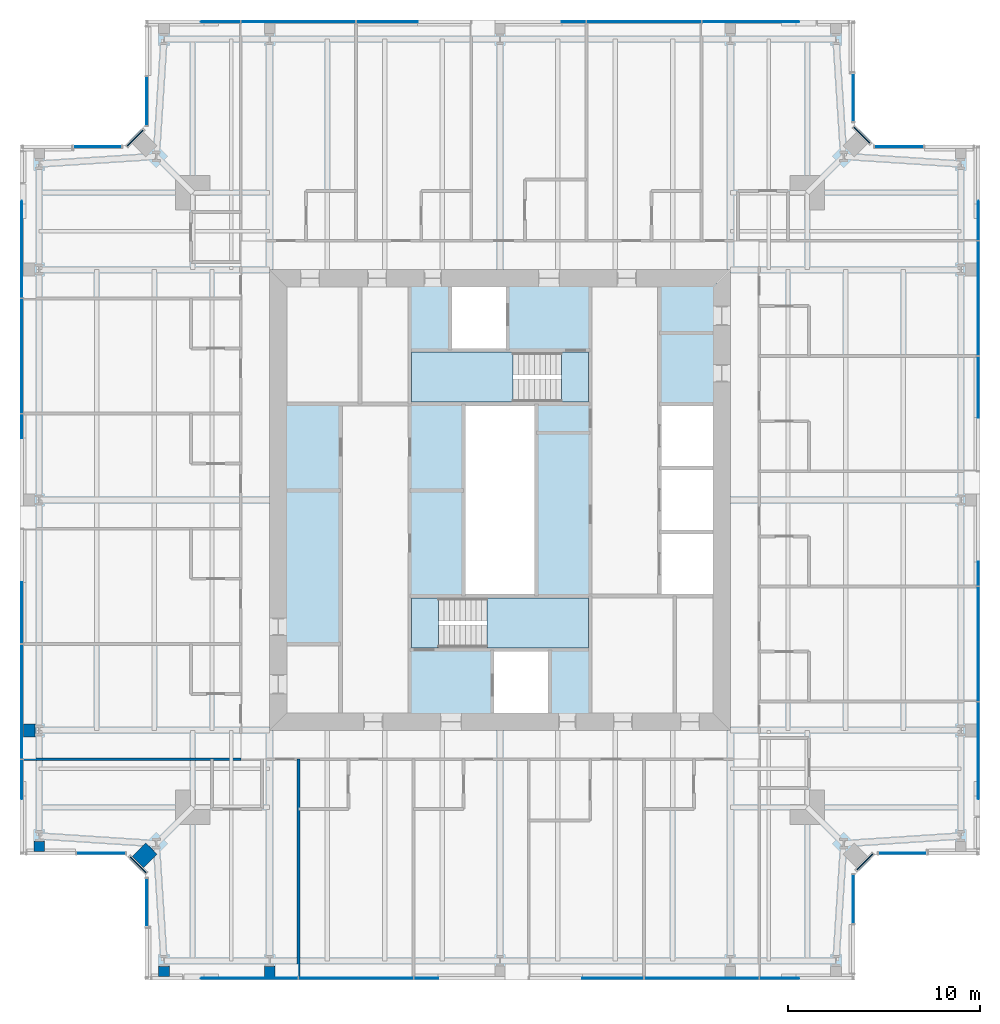
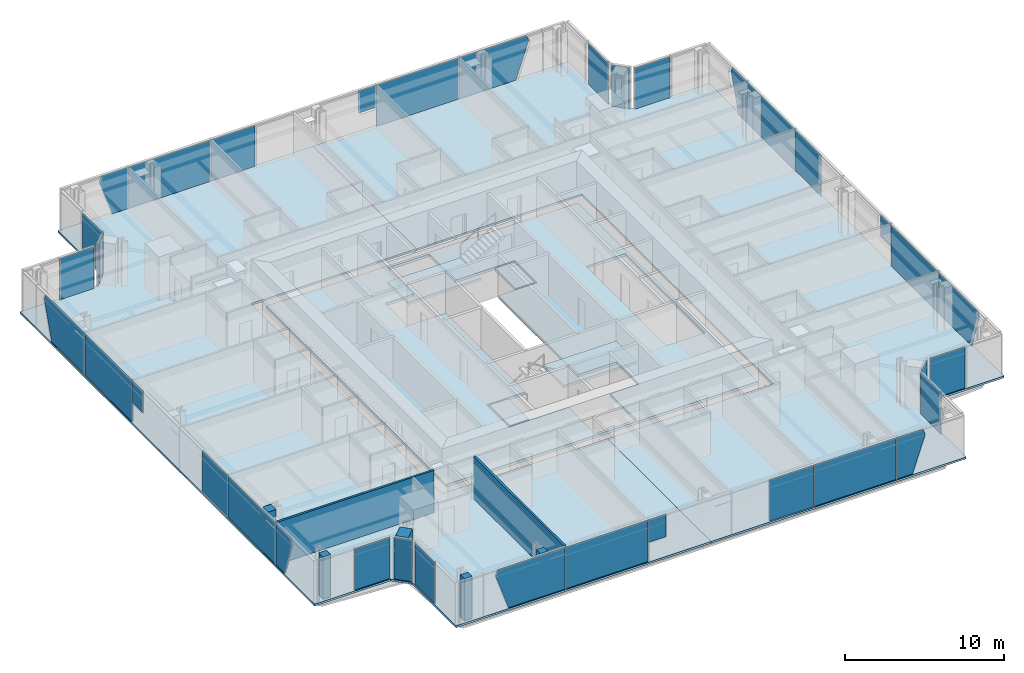
# One storey, part 10 of 20: 36 plates, 7 slabs, 7 walls, 18 elements without a shape of their own.
"""IFC4 building model written with IfcOpenShell, lengths in metres."""

from ifc_helpers import new_model, si_unit, direction, frame, frame_2d, origin, origin_2d, place, context, subcontext, project, spatial, polyline, rectangle, outline, extrude, material, layer, layer_set, type_object, element, aggregate, save


model = new_model("IFC4")

# Units and contexts
model_context = context("Model", 3, precision=1e-05, world=origin(), true_north=direction((0.0, 1.0)))
body_context = subcontext(model_context, "Body", "Model", "MODEL_VIEW")
ifc_project = project(units=[si_unit("LENGTHUNIT", "METRE"), si_unit("AREAUNIT", "SQUARE_METRE"), si_unit("VOLUMEUNIT", "CUBIC_METRE"), si_unit("PLANEANGLEUNIT", "RADIAN"), si_unit("MASSUNIT", "GRAM", prefix="KILO")], contexts=[model_context])

# Site, building, storey
site_placement = place(None, origin())
site = spatial("IfcSite", under=ifc_project, at=site_placement, CompositionType="ELEMENT")
building_placement = place(site_placement, origin())
building = spatial("IfcBuilding", under=site, at=building_placement, Name="Fenwick Lantern Interchange", CompositionType="ELEMENT")
storey_placement = place(building_placement, frame((0.0, 0.0, 252.60009765625)))
storey = spatial("IfcBuildingStorey", under=building, at=storey_placement, Name="L59", CompositionType="ELEMENT", Elevation=252.60009765625)

# Slabs
ifc_material_1 = material(Name="Concrete f'c 35 MPa", Category="concrete")
ifc_layer_1 = layer(ifc_material_1, 0.199951171875)
ifc_layer_set_1 = layer_set([ifc_layer_1], Name="CORE FLOOR SLAB 200")
slab_type_1 = type_object("IfcSlabType", Name="CORE FLOOR SLAB 200", PredefinedType="FLOOR", material=ifc_layer_set_1)
slab_1_placement = place(storey_placement, frame((0.0, 0.0, -0.2001953125)))
element("IfcSlab", 1, at=slab_1_placement, inside=storey, type_object=slab_type_1, Name="L59/SLAB/CORE", PredefinedType="FLOOR", context=body_context, shape_type="SweptSolid", body=[
    extrude(outline(polyline([(13.699951171875, 36.300048828125), (36.300048828125, 36.300048828125), (36.300048828125, 13.699951171875), (13.699951171875, 13.699951171875), (13.699951171875, 36.300048828125)]), holes=[polyline([(24.60009765625, 13.89990234375), (27.60009765625, 13.89990234375), (27.60009765625, 17.199951171875), (29.699951171875, 17.199951171875), (29.699951171875, 20.0), (26.89990234375, 20.0), (26.89990234375, 30.0), (29.699951171875, 30.0), (29.699951171875, 32.800048828125), (25.39990234375, 32.800048828125), (25.39990234375, 36.10009765625), (22.39990234375, 36.10009765625), (22.39990234375, 32.800048828125), (20.300048828125, 32.800048828125), (20.300048828125, 30.0), (23.10009765625, 30.0), (23.10009765625, 20.0), (20.300048828125, 20.0), (20.300048828125, 17.199951171875), (24.60009765625, 17.199951171875), (24.60009765625, 13.89990234375)]), polyline([(33.300048828125, 20.0), (36.10009765625, 20.0), (36.10009765625, 23.333251953125), (36.10009765625, 26.666748046875), (36.10009765625, 30.0), (33.300048828125, 30.0), (33.300048828125, 26.666748046875), (33.300048828125, 23.333251953125), (33.300048828125, 20.0)])]), origin(), (0.0, 0.0, 1.0), 0.2001953125),
])
ifc_material_2 = material(Name="Concrete f'c 35 MPa", Category="concrete")
ifc_layer_2 = layer(ifc_material_2, 0.14990234375)
ifc_layer_set_2 = layer_set([ifc_layer_2], Name="Concrete f'c 35 MPa")
slab_type_2 = type_object("IfcSlabType", Name="FLOOR SLAB 150", PredefinedType="FLOOR", material=ifc_layer_set_2)
slab_2_placement = place(storey_placement, frame((0.0, 0.0, -0.150146484375)))
element("IfcSlab", 2, at=slab_2_placement, inside=storey, type_object=slab_type_2, Name="L59/SLAB/FW", PredefinedType="FLOOR", context=body_context, shape_type="SweptSolid", body=[
    extrude(outline(polyline([(6.5, 0.0), (6.5, 5.5), (5.5, 6.5), (0.0, 6.5), (0.0, 43.5), (5.5, 43.5), (6.5, 44.5), (6.5, 50.0), (25.0, 50.0), (25.0, 37.0), (13.0, 37.0), (13.0, 13.0), (25.0, 13.0), (25.0, 0.0), (6.5, 0.0)])), origin(), (0.0, 0.0, 1.0), 0.150146484375),
])
slab_3_placement = place(storey_placement, frame((0.0, 0.0, -0.150146484375)))
element("IfcSlab", 3, at=slab_3_placement, inside=storey, type_object=slab_type_2, Name="L59/SLAB/FE", PredefinedType="FLOOR", context=body_context, shape_type="SweptSolid", body=[
    extrude(outline(polyline([(43.5, 50.0), (43.5, 44.5), (44.5, 43.5), (50.0, 43.5), (50.0, 6.5), (44.5, 6.5), (43.5, 5.5), (43.5, 0.0), (25.0, 0.0), (25.0, 13.0), (37.0, 13.0), (37.0, 37.0), (25.0, 37.0), (25.0, 50.0), (43.5, 50.0)])), origin(), (0.0, 0.0, 1.0), 0.150146484375),
])

# Curtain wall, plates
ifc_material_3 = material(Name="Aluminium curtain wall frame", Category="aluminium")
curtain_wall_type = type_object("IfcCurtainWallType", Name="HOTEL CURTAIN WALL", PredefinedType="USERDEFINED", material=ifc_material_3)
curtain_wall_1_placement = place(storey_placement, origin())
curtain_wall_1 = element("IfcCurtainWall", 4, at=curtain_wall_1_placement, inside=storey, type_object=curtain_wall_type, Name="Hotel curtain wall 01", ObjectType="HOTEL CURTAIN WALL", PredefinedType="USERDEFINED")
ifc_material_4 = material(Name="Vision glass, acoustic laminated double glazed unit", Category="glass")
ifc_layer_3 = layer(ifc_material_4, 0.052001953125)
ifc_layer_set_3 = layer_set([ifc_layer_3], Name="HOTEL CURTAIN WALL PANEL 52")
plate_type = type_object("IfcPlateType", Name="HOTEL CURTAIN WALL PANEL 52", PredefinedType="CURTAIN_PANEL", material=ifc_layer_set_3)
plate_1_placement = place(storey_placement, frame((6.60009765625, 0.10009765625, 0.0), z_axis=(0.0, 0.0, 1.0), x_axis=(1.0, 0.0, 0.0)))
plate_1 = element("IfcPlate", 5, at=plate_1_placement, type_object=plate_type, Name="L59/CW/01/P01a", PredefinedType="CURTAIN_PANEL", context=body_context, shape_type="SweptSolid", body=[
    extrude(outline(polyline([(3.7431640625, 0.0), (7.8701171875, 0.0), (7.8701171875, 3.14990234375), (2.985595703125, 3.14990234375), (2.81884765625, 2.737548828125), (3.7431640625, 0.0)])), frame((0.0, 0.02587890625, 0.0), z_axis=(0.0, -1.0, 0.0), x_axis=(1.0, 0.0, 0.0)), (0.0, 0.0, 1.0), 0.052001953125),
])
plate_2_placement = place(storey_placement, frame((17.5, 0.10009765625, 0.0), z_axis=(0.0, 0.0, 1.0), x_axis=(1.0, 0.0, 0.0)))
plate_2 = element("IfcPlate", 6, at=plate_2_placement, type_object=plate_type, Name="L59/CW/01/P02", PredefinedType="CURTAIN_PANEL", context=body_context, shape_type="SweptSolid", body=[
    extrude(rectangle(XDim=5.93994140625, YDim=0.052001953125, at=origin_2d()), origin(), (0.0, 0.0, 1.0), 3.14990234375),
])
plate_3_placement = place(storey_placement, frame((6.60009765625, 0.10009765625, 1.45751953125), z_axis=(0.0, 0.0, 1.0), x_axis=(1.0, 0.0, 0.0)))
plate_3 = element("IfcPlate", 7, at=plate_3_placement, type_object=plate_type, Name="L59/CW/01/P03a", PredefinedType="CURTAIN_PANEL", context=body_context, shape_type="SweptSolid", body=[
    extrude(outline(polyline([(13.929931640625, 0.0), (15.179931640625, 0.0), (15.179931640625, 1.6923828125), (13.929931640625, 1.6923828125), (13.929931640625, 0.0)])), frame((0.0, 0.02587890625, 0.0), z_axis=(0.0, -1.0, 0.0), x_axis=(1.0, 0.0, 0.0)), (0.0, 0.0, 1.0), 0.052001953125),
])
plate_4_placement = place(storey_placement, frame((6.60009765625, 0.10009765625, 0.004150390625), z_axis=(0.0, 0.0, 1.0), x_axis=(1.0, 0.0, 0.0)))
plate_4 = element("IfcPlate", 8, at=plate_4_placement, type_object=plate_type, Name="L59/CW/01/P04a", PredefinedType="CURTAIN_PANEL", context=body_context, shape_type="SweptSolid", body=[
    extrude(outline(polyline([(22.690673828125, 0.0), (25.8701171875, 0.0), (25.8701171875, 3.145751953125), (22.690673828125, 3.145751953125), (22.690673828125, 0.0)])), frame((0.0, 0.02587890625, 0.0), z_axis=(0.0, -1.0, 0.0), x_axis=(1.0, 0.0, 0.0)), (0.0, 0.0, 1.0), 0.052001953125),
])
plate_5_placement = place(storey_placement, frame((35.5, 0.10009765625, 0.0), z_axis=(0.0, 0.0, 1.0), x_axis=(1.0, 0.0, 0.0)))
plate_5 = element("IfcPlate", 9, at=plate_5_placement, type_object=plate_type, Name="L59/CW/01/P05", PredefinedType="CURTAIN_PANEL", context=body_context, shape_type="SweptSolid", body=[
    extrude(rectangle(XDim=5.93994140625, YDim=0.052001953125, at=origin_2d()), origin(), (0.0, 0.0, 1.0), 3.14990234375),
])
plate_6_placement = place(storey_placement, frame((6.60009765625, 0.10009765625, 0.0), z_axis=(0.0, 0.0, 1.0), x_axis=(1.0, 0.0, 0.0)))
plate_6 = element("IfcPlate", 10, at=plate_6_placement, type_object=plate_type, Name="L59/CW/01/P06a", PredefinedType="CURTAIN_PANEL", context=body_context, shape_type="SweptSolid", body=[
    extrude(outline(polyline([(31.929931640625, 0.0), (33.056884765625, 0.0), (33.981201171875, 2.737548828125), (33.814453125, 3.14990234375), (31.929931640625, 3.14990234375), (31.929931640625, 0.0)])), frame((0.0, 0.02587890625, 0.0), z_axis=(0.0, -1.0, 0.0), x_axis=(1.0, 0.0, 0.0)), (0.0, 0.0, 1.0), 0.052001953125),
])
aggregate(curtain_wall_1, [plate_1, plate_2, plate_3, plate_4, plate_5, plate_6])

# Curtain wall, plate
curtain_wall_2_placement = place(storey_placement, origin())
curtain_wall_2 = element("IfcCurtainWall", 11, at=curtain_wall_2_placement, inside=storey, type_object=curtain_wall_type, Name="Hotel curtain wall 02", ObjectType="HOTEL CURTAIN WALL", PredefinedType="USERDEFINED")
plate_7_placement = place(storey_placement, frame((43.39990234375, 4.216064453125, 0.0), z_axis=(0.0, 0.0, 1.0), x_axis=(0.0, 1.0, 0.0)))
plate_7 = element("IfcPlate", 12, at=plate_7_placement, type_object=plate_type, Name="L59/CW/02/P01", PredefinedType="CURTAIN_PANEL", context=body_context, shape_type="SweptSolid", body=[
    extrude(rectangle(XDim=2.53076171875, YDim=0.052001953125, at=origin_2d()), origin(), (0.0, 0.0, 1.0), 3.14990234375),
])
aggregate(curtain_wall_2, [plate_7])

curtain_wall_3_placement = place(storey_placement, origin())
curtain_wall_3 = element("IfcCurtainWall", 13, at=curtain_wall_3_placement, inside=storey, type_object=curtain_wall_type, Name="Hotel curtain wall 03", ObjectType="HOTEL CURTAIN WALL", PredefinedType="USERDEFINED")
plate_8_placement = place(storey_placement, frame((44.0, 6.141357421875, 0.0), z_axis=(0.0, 0.0, 1.0), x_axis=(0.707106781187, 0.707106781187, 0.0)))
plate_8 = element("IfcPlate", 14, at=plate_8_placement, type_object=plate_type, Name="L59/CW/03/P00", PredefinedType="CURTAIN_PANEL", context=body_context, shape_type="SweptSolid", body=[
    extrude(rectangle(XDim=1.177001953125, YDim=0.052001953125, at=origin_2d()), origin(), (0.0, 0.0, 1.0), 3.14990234375),
])
aggregate(curtain_wall_3, [plate_8])

curtain_wall_4_placement = place(storey_placement, origin())
curtain_wall_4 = element("IfcCurtainWall", 15, at=curtain_wall_4_placement, inside=storey, type_object=curtain_wall_type, Name="Hotel curtain wall 04", ObjectType="HOTEL CURTAIN WALL", PredefinedType="USERDEFINED")
plate_9_placement = place(storey_placement, frame((44.45849609375, 6.60009765625, 0.0), z_axis=(0.0, 0.0, 1.0), x_axis=(1.0, 0.0, 0.0)))
plate_9 = element("IfcPlate", 16, at=plate_9_placement, type_object=plate_type, Name="L59/CW/04/P00a", PredefinedType="CURTAIN_PANEL", context=body_context, shape_type="SweptSolid", body=[
    extrude(outline(polyline([(0.260009765625, 0.0), (2.741455078125, 0.0), (2.741455078125, 3.14990234375), (0.260009765625, 3.14990234375), (0.260009765625, 0.0)])), frame((0.0, 0.02587890625, 0.0), z_axis=(0.0, -1.0, 0.0), x_axis=(1.0, 0.0, 0.0)), (0.0, 0.0, 1.0), 0.052001953125),
])
aggregate(curtain_wall_4, [plate_9])

# Curtain wall, plates
curtain_wall_5_placement = place(storey_placement, origin())
curtain_wall_5 = element("IfcCurtainWall", 17, at=curtain_wall_5_placement, inside=storey, type_object=curtain_wall_type, Name="Hotel curtain wall 05", ObjectType="HOTEL CURTAIN WALL", PredefinedType="USERDEFINED")
plate_10_placement = place(storey_placement, frame((49.89990234375, 6.60009765625, 0.0), z_axis=(0.0, 0.0, 1.0), x_axis=(0.0, 1.0, 0.0)))
plate_10 = element("IfcPlate", 18, at=plate_10_placement, type_object=plate_type, Name="L59/CW/05/P01a", PredefinedType="CURTAIN_PANEL", context=body_context, shape_type="SweptSolid", body=[
    extrude(outline(polyline([(3.7431640625, 0.0), (7.8701171875, 0.0), (7.8701171875, 3.14990234375), (2.985595703125, 3.14990234375), (2.81884765625, 2.737548828125), (3.7431640625, 0.0)])), frame((0.0, 0.02587890625, 0.0), z_axis=(0.0, -1.0, 0.0), x_axis=(1.0, 0.0, 0.0)), (0.0, 0.0, 1.0), 0.052001953125),
])
plate_11_placement = place(storey_placement, frame((49.89990234375, 17.5, 0.0), z_axis=(0.0, 0.0, 1.0), x_axis=(0.0, 1.0, 0.0)))
plate_11 = element("IfcPlate", 19, at=plate_11_placement, type_object=plate_type, Name="L59/CW/05/P02", PredefinedType="CURTAIN_PANEL", context=body_context, shape_type="SweptSolid", body=[
    extrude(rectangle(XDim=5.93994140625, YDim=0.052001953125, at=origin_2d()), origin(), (0.0, 0.0, 1.0), 3.14990234375),
])
plate_12_placement = place(storey_placement, frame((49.89990234375, 6.60009765625, 1.45751953125), z_axis=(0.0, 0.0, 1.0), x_axis=(0.0, 1.0, 0.0)))
plate_12 = element("IfcPlate", 20, at=plate_12_placement, type_object=plate_type, Name="L59/CW/05/P03a", PredefinedType="CURTAIN_PANEL", context=body_context, shape_type="SweptSolid", body=[
    extrude(outline(polyline([(13.929931640625, 0.0), (15.179931640625, 0.0), (15.179931640625, 1.6923828125), (13.929931640625, 1.6923828125), (13.929931640625, 0.0)])), frame((0.0, 0.02587890625, 0.0), z_axis=(0.0, -1.0, 0.0), x_axis=(1.0, 0.0, 0.0)), (0.0, 0.0, 1.0), 0.052001953125),
])
plate_13_placement = place(storey_placement, frame((49.89990234375, 6.60009765625, 0.004150390625), z_axis=(0.0, 0.0, 1.0), x_axis=(0.0, 1.0, 0.0)))
plate_13 = element("IfcPlate", 21, at=plate_13_placement, type_object=plate_type, Name="L59/CW/05/P04a", PredefinedType="CURTAIN_PANEL", context=body_context, shape_type="SweptSolid", body=[
    extrude(outline(polyline([(22.690673828125, 0.0), (25.8701171875, 0.0), (25.8701171875, 3.145751953125), (22.690673828125, 3.145751953125), (22.690673828125, 0.0)])), frame((0.0, 0.02587890625, 0.0), z_axis=(0.0, -1.0, 0.0), x_axis=(1.0, 0.0, 0.0)), (0.0, 0.0, 1.0), 0.052001953125),
])
plate_14_placement = place(storey_placement, frame((49.89990234375, 35.5, 0.0), z_axis=(0.0, 0.0, 1.0), x_axis=(0.0, 1.0, 0.0)))
plate_14 = element("IfcPlate", 22, at=plate_14_placement, type_object=plate_type, Name="L59/CW/05/P05", PredefinedType="CURTAIN_PANEL", context=body_context, shape_type="SweptSolid", body=[
    extrude(rectangle(XDim=5.93994140625, YDim=0.052001953125, at=origin_2d()), origin(), (0.0, 0.0, 1.0), 3.14990234375),
])
plate_15_placement = place(storey_placement, frame((49.89990234375, 6.60009765625, 0.0), z_axis=(0.0, 0.0, 1.0), x_axis=(0.0, 1.0, 0.0)))
plate_15 = element("IfcPlate", 23, at=plate_15_placement, type_object=plate_type, Name="L59/CW/05/P06a", PredefinedType="CURTAIN_PANEL", context=body_context, shape_type="SweptSolid", body=[
    extrude(outline(polyline([(31.929931640625, 0.0), (33.056884765625, 0.0), (33.981201171875, 2.737548828125), (33.814453125, 3.14990234375), (31.929931640625, 3.14990234375), (31.929931640625, 0.0)])), frame((0.0, 0.02587890625, 0.0), z_axis=(0.0, -1.0, 0.0), x_axis=(1.0, 0.0, 0.0)), (0.0, 0.0, 1.0), 0.052001953125),
])
aggregate(curtain_wall_5, [plate_10, plate_11, plate_12, plate_13, plate_14, plate_15])

# Curtain wall, plate
curtain_wall_6_placement = place(storey_placement, origin())
curtain_wall_6 = element("IfcCurtainWall", 24, at=curtain_wall_6_placement, inside=storey, type_object=curtain_wall_type, Name="Hotel curtain wall 06", ObjectType="HOTEL CURTAIN WALL", PredefinedType="USERDEFINED")
plate_16_placement = place(storey_placement, frame((45.783935546875, 43.39990234375, 0.0), z_axis=(0.0, 0.0, 1.0), x_axis=(-1.0, 0.0, 0.0)))
plate_16 = element("IfcPlate", 25, at=plate_16_placement, type_object=plate_type, Name="L59/CW/06/P01", PredefinedType="CURTAIN_PANEL", context=body_context, shape_type="SweptSolid", body=[
    extrude(rectangle(XDim=2.53076171875, YDim=0.052001953125, at=origin_2d()), origin(), (0.0, 0.0, 1.0), 3.14990234375),
])
aggregate(curtain_wall_6, [plate_16])

curtain_wall_7_placement = place(storey_placement, origin())
curtain_wall_7 = element("IfcCurtainWall", 26, at=curtain_wall_7_placement, inside=storey, type_object=curtain_wall_type, Name="Hotel curtain wall 07", ObjectType="HOTEL CURTAIN WALL", PredefinedType="USERDEFINED")
plate_17_placement = place(storey_placement, frame((43.858642578125, 44.0, 0.0), z_axis=(0.0, 0.0, 1.0), x_axis=(-0.707106781187, 0.707106781187, 0.0)))
plate_17 = element("IfcPlate", 27, at=plate_17_placement, type_object=plate_type, Name="L59/CW/07/P00", PredefinedType="CURTAIN_PANEL", context=body_context, shape_type="SweptSolid", body=[
    extrude(rectangle(XDim=1.177001953125, YDim=0.052001953125, at=origin_2d()), origin(), (0.0, 0.0, 1.0), 3.14990234375),
])
aggregate(curtain_wall_7, [plate_17])

curtain_wall_8_placement = place(storey_placement, origin())
curtain_wall_8 = element("IfcCurtainWall", 28, at=curtain_wall_8_placement, inside=storey, type_object=curtain_wall_type, Name="Hotel curtain wall 08", ObjectType="HOTEL CURTAIN WALL", PredefinedType="USERDEFINED")
plate_18_placement = place(storey_placement, frame((43.39990234375, 44.45849609375, 0.0), z_axis=(0.0, 0.0, 1.0), x_axis=(0.0, 1.0, 0.0)))
plate_18 = element("IfcPlate", 29, at=plate_18_placement, type_object=plate_type, Name="L59/CW/08/P00a", PredefinedType="CURTAIN_PANEL", context=body_context, shape_type="SweptSolid", body=[
    extrude(outline(polyline([(0.260009765625, 0.0), (2.741455078125, 0.0), (2.741455078125, 3.14990234375), (0.260009765625, 3.14990234375), (0.260009765625, 0.0)])), frame((0.0, 0.02587890625, 0.0), z_axis=(0.0, -1.0, 0.0), x_axis=(1.0, 0.0, 0.0)), (0.0, 0.0, 1.0), 0.052001953125),
])
aggregate(curtain_wall_8, [plate_18])

# Curtain wall, plates
curtain_wall_9_placement = place(storey_placement, origin())
curtain_wall_9 = element("IfcCurtainWall", 30, at=curtain_wall_9_placement, inside=storey, type_object=curtain_wall_type, Name="Hotel curtain wall 09", ObjectType="HOTEL CURTAIN WALL", PredefinedType="USERDEFINED")
plate_19_placement = place(storey_placement, frame((43.39990234375, 49.89990234375, 0.0), z_axis=(0.0, 0.0, 1.0), x_axis=(-1.0, 0.0, 0.0)))
plate_19 = element("IfcPlate", 31, at=plate_19_placement, type_object=plate_type, Name="L59/CW/09/P01a", PredefinedType="CURTAIN_PANEL", context=body_context, shape_type="SweptSolid", body=[
    extrude(outline(polyline([(3.7431640625, 0.0), (7.8701171875, 0.0), (7.8701171875, 3.14990234375), (2.985595703125, 3.14990234375), (2.81884765625, 2.737548828125), (3.7431640625, 0.0)])), frame((0.0, 0.02587890625, 0.0), z_axis=(0.0, -1.0, 0.0), x_axis=(1.0, 0.0, 0.0)), (0.0, 0.0, 1.0), 0.052001953125),
])
plate_20_placement = place(storey_placement, frame((32.5, 49.89990234375, 0.0), z_axis=(0.0, 0.0, 1.0), x_axis=(-1.0, 0.0, 0.0)))
plate_20 = element("IfcPlate", 32, at=plate_20_placement, type_object=plate_type, Name="L59/CW/09/P02", PredefinedType="CURTAIN_PANEL", context=body_context, shape_type="SweptSolid", body=[
    extrude(rectangle(XDim=5.93994140625, YDim=0.052001953125, at=origin_2d()), origin(), (0.0, 0.0, 1.0), 3.14990234375),
])
plate_21_placement = place(storey_placement, frame((43.39990234375, 49.89990234375, 1.45751953125), z_axis=(0.0, 0.0, 1.0), x_axis=(-1.0, 0.0, 0.0)))
plate_21 = element("IfcPlate", 33, at=plate_21_placement, type_object=plate_type, Name="L59/CW/09/P03a", PredefinedType="CURTAIN_PANEL", context=body_context, shape_type="SweptSolid", body=[
    extrude(outline(polyline([(13.929931640625, 0.0), (15.179931640625, 0.0), (15.179931640625, 1.6923828125), (13.929931640625, 1.6923828125), (13.929931640625, 0.0)])), frame((0.0, 0.02587890625, 0.0), z_axis=(0.0, -1.0, 0.0), x_axis=(1.0, 0.0, 0.0)), (0.0, 0.0, 1.0), 0.052001953125),
])
plate_22_placement = place(storey_placement, frame((43.39990234375, 49.89990234375, 0.004150390625), z_axis=(0.0, 0.0, 1.0), x_axis=(-1.0, 0.0, 0.0)))
plate_22 = element("IfcPlate", 34, at=plate_22_placement, type_object=plate_type, Name="L59/CW/09/P04a", PredefinedType="CURTAIN_PANEL", context=body_context, shape_type="SweptSolid", body=[
    extrude(outline(polyline([(22.690673828125, 0.0), (25.8701171875, 0.0), (25.8701171875, 3.145751953125), (22.690673828125, 3.145751953125), (22.690673828125, 0.0)])), frame((0.0, 0.02587890625, 0.0), z_axis=(0.0, -1.0, 0.0), x_axis=(1.0, 0.0, 0.0)), (0.0, 0.0, 1.0), 0.052001953125),
])
plate_23_placement = place(storey_placement, frame((14.5, 49.89990234375, 0.0), z_axis=(0.0, 0.0, 1.0), x_axis=(-1.0, 0.0, 0.0)))
plate_23 = element("IfcPlate", 35, at=plate_23_placement, type_object=plate_type, Name="L59/CW/09/P05", PredefinedType="CURTAIN_PANEL", context=body_context, shape_type="SweptSolid", body=[
    extrude(rectangle(XDim=5.93994140625, YDim=0.052001953125, at=origin_2d()), origin(), (0.0, 0.0, 1.0), 3.14990234375),
])
plate_24_placement = place(storey_placement, frame((43.39990234375, 49.89990234375, 0.0), z_axis=(0.0, 0.0, 1.0), x_axis=(-1.0, 0.0, 0.0)))
plate_24 = element("IfcPlate", 36, at=plate_24_placement, type_object=plate_type, Name="L59/CW/09/P06a", PredefinedType="CURTAIN_PANEL", context=body_context, shape_type="SweptSolid", body=[
    extrude(outline(polyline([(31.929931640625, 0.0), (33.056884765625, 0.0), (33.981201171875, 2.737548828125), (33.814453125, 3.14990234375), (31.929931640625, 3.14990234375), (31.929931640625, 0.0)])), frame((0.0, 0.02587890625, 0.0), z_axis=(0.0, -1.0, 0.0), x_axis=(1.0, 0.0, 0.0)), (0.0, 0.0, 1.0), 0.052001953125),
])
aggregate(curtain_wall_9, [plate_19, plate_20, plate_21, plate_22, plate_23, plate_24])

# Curtain wall, plate
curtain_wall_10_placement = place(storey_placement, origin())
curtain_wall_10 = element("IfcCurtainWall", 37, at=curtain_wall_10_placement, inside=storey, type_object=curtain_wall_type, Name="Hotel curtain wall 10", ObjectType="HOTEL CURTAIN WALL", PredefinedType="USERDEFINED")
plate_25_placement = place(storey_placement, frame((6.60009765625, 45.783935546875, 0.0), z_axis=(0.0, 0.0, 1.0), x_axis=(0.0, -1.0, 0.0)))
plate_25 = element("IfcPlate", 38, at=plate_25_placement, type_object=plate_type, Name="L59/CW/10/P01", PredefinedType="CURTAIN_PANEL", context=body_context, shape_type="SweptSolid", body=[
    extrude(rectangle(XDim=2.53076171875, YDim=0.052001953125, at=origin_2d()), origin(), (0.0, 0.0, 1.0), 3.14990234375),
])
aggregate(curtain_wall_10, [plate_25])

curtain_wall_11_placement = place(storey_placement, origin())
curtain_wall_11 = element("IfcCurtainWall", 39, at=curtain_wall_11_placement, inside=storey, type_object=curtain_wall_type, Name="Hotel curtain wall 11", ObjectType="HOTEL CURTAIN WALL", PredefinedType="USERDEFINED")
plate_26_placement = place(storey_placement, frame((6.0, 43.858642578125, 0.0), z_axis=(0.0, 0.0, 1.0), x_axis=(-0.707106781187, -0.707106781187, 0.0)))
plate_26 = element("IfcPlate", 40, at=plate_26_placement, type_object=plate_type, Name="L59/CW/11/P00", PredefinedType="CURTAIN_PANEL", context=body_context, shape_type="SweptSolid", body=[
    extrude(rectangle(XDim=1.177001953125, YDim=0.052001953125, at=origin_2d()), origin(), (0.0, 0.0, 1.0), 3.14990234375),
])
aggregate(curtain_wall_11, [plate_26])

curtain_wall_12_placement = place(storey_placement, origin())
curtain_wall_12 = element("IfcCurtainWall", 41, at=curtain_wall_12_placement, inside=storey, type_object=curtain_wall_type, Name="Hotel curtain wall 12", ObjectType="HOTEL CURTAIN WALL", PredefinedType="USERDEFINED")
plate_27_placement = place(storey_placement, frame((5.54150390625, 43.39990234375, 0.0), z_axis=(0.0, 0.0, 1.0), x_axis=(-1.0, 0.0, 0.0)))
plate_27 = element("IfcPlate", 42, at=plate_27_placement, type_object=plate_type, Name="L59/CW/12/P00a", PredefinedType="CURTAIN_PANEL", context=body_context, shape_type="SweptSolid", body=[
    extrude(outline(polyline([(0.260009765625, 0.0), (2.741455078125, 0.0), (2.741455078125, 3.14990234375), (0.260009765625, 3.14990234375), (0.260009765625, 0.0)])), frame((0.0, 0.02587890625, 0.0), z_axis=(0.0, -1.0, 0.0), x_axis=(1.0, 0.0, 0.0)), (0.0, 0.0, 1.0), 0.052001953125),
])
aggregate(curtain_wall_12, [plate_27])

# Curtain wall, plates
curtain_wall_13_placement = place(storey_placement, origin())
curtain_wall_13 = element("IfcCurtainWall", 43, at=curtain_wall_13_placement, inside=storey, type_object=curtain_wall_type, Name="Hotel curtain wall 13", ObjectType="HOTEL CURTAIN WALL", PredefinedType="USERDEFINED")
plate_28_placement = place(storey_placement, frame((0.10009765625, 43.39990234375, 0.0), z_axis=(0.0, 0.0, 1.0), x_axis=(0.0, -1.0, 0.0)))
plate_28 = element("IfcPlate", 44, at=plate_28_placement, type_object=plate_type, Name="L59/CW/13/P01a", PredefinedType="CURTAIN_PANEL", context=body_context, shape_type="SweptSolid", body=[
    extrude(outline(polyline([(3.7431640625, 0.0), (7.8701171875, 0.0), (7.8701171875, 3.14990234375), (2.985595703125, 3.14990234375), (2.81884765625, 2.737548828125), (3.7431640625, 0.0)])), frame((0.0, 0.02587890625, 0.0), z_axis=(0.0, -1.0, 0.0), x_axis=(1.0, 0.0, 0.0)), (0.0, 0.0, 1.0), 0.052001953125),
])
plate_29_placement = place(storey_placement, frame((0.10009765625, 32.5, 0.0), z_axis=(0.0, 0.0, 1.0), x_axis=(0.0, -1.0, 0.0)))
plate_29 = element("IfcPlate", 45, at=plate_29_placement, type_object=plate_type, Name="L59/CW/13/P02", PredefinedType="CURTAIN_PANEL", context=body_context, shape_type="SweptSolid", body=[
    extrude(rectangle(XDim=5.93994140625, YDim=0.052001953125, at=origin_2d()), origin(), (0.0, 0.0, 1.0), 3.14990234375),
])
plate_30_placement = place(storey_placement, frame((0.10009765625, 43.39990234375, 1.45751953125), z_axis=(0.0, 0.0, 1.0), x_axis=(0.0, -1.0, 0.0)))
plate_30 = element("IfcPlate", 46, at=plate_30_placement, type_object=plate_type, Name="L59/CW/13/P03a", PredefinedType="CURTAIN_PANEL", context=body_context, shape_type="SweptSolid", body=[
    extrude(outline(polyline([(13.929931640625, 0.0), (15.179931640625, 0.0), (15.179931640625, 1.6923828125), (13.929931640625, 1.6923828125), (13.929931640625, 0.0)])), frame((0.0, 0.02587890625, 0.0), z_axis=(0.0, -1.0, 0.0), x_axis=(1.0, 0.0, 0.0)), (0.0, 0.0, 1.0), 0.052001953125),
])
plate_31_placement = place(storey_placement, frame((0.10009765625, 43.39990234375, 0.004150390625), z_axis=(0.0, 0.0, 1.0), x_axis=(0.0, -1.0, 0.0)))
plate_31 = element("IfcPlate", 47, at=plate_31_placement, type_object=plate_type, Name="L59/CW/13/P04a", PredefinedType="CURTAIN_PANEL", context=body_context, shape_type="SweptSolid", body=[
    extrude(outline(polyline([(22.690673828125, 0.0), (25.8701171875, 0.0), (25.8701171875, 3.145751953125), (22.690673828125, 3.145751953125), (22.690673828125, 0.0)])), frame((0.0, 0.02587890625, 0.0), z_axis=(0.0, -1.0, 0.0), x_axis=(1.0, 0.0, 0.0)), (0.0, 0.0, 1.0), 0.052001953125),
])
plate_32_placement = place(storey_placement, frame((0.10009765625, 14.5, 0.0), z_axis=(0.0, 0.0, 1.0), x_axis=(0.0, -1.0, 0.0)))
plate_32 = element("IfcPlate", 48, at=plate_32_placement, type_object=plate_type, Name="L59/CW/13/P05", PredefinedType="CURTAIN_PANEL", context=body_context, shape_type="SweptSolid", body=[
    extrude(rectangle(XDim=5.93994140625, YDim=0.052001953125, at=origin_2d()), origin(), (0.0, 0.0, 1.0), 3.14990234375),
])
plate_33_placement = place(storey_placement, frame((0.10009765625, 43.39990234375, 0.0), z_axis=(0.0, 0.0, 1.0), x_axis=(0.0, -1.0, 0.0)))
plate_33 = element("IfcPlate", 49, at=plate_33_placement, type_object=plate_type, Name="L59/CW/13/P06a", PredefinedType="CURTAIN_PANEL", context=body_context, shape_type="SweptSolid", body=[
    extrude(outline(polyline([(31.929931640625, 0.0), (33.056884765625, 0.0), (33.981201171875, 2.737548828125), (33.814453125, 3.14990234375), (31.929931640625, 3.14990234375), (31.929931640625, 0.0)])), frame((0.0, 0.02587890625, 0.0), z_axis=(0.0, -1.0, 0.0), x_axis=(1.0, 0.0, 0.0)), (0.0, 0.0, 1.0), 0.052001953125),
])
aggregate(curtain_wall_13, [plate_28, plate_29, plate_30, plate_31, plate_32, plate_33])

# Curtain wall, plate
curtain_wall_14_placement = place(storey_placement, origin())
curtain_wall_14 = element("IfcCurtainWall", 50, at=curtain_wall_14_placement, inside=storey, type_object=curtain_wall_type, Name="Hotel curtain wall 14", ObjectType="HOTEL CURTAIN WALL", PredefinedType="USERDEFINED")
plate_34_placement = place(storey_placement, frame((4.216064453125, 6.60009765625, 0.0), z_axis=(0.0, 0.0, 1.0), x_axis=(1.0, 0.0, 0.0)))
plate_34 = element("IfcPlate", 51, at=plate_34_placement, type_object=plate_type, Name="L59/CW/14/P01", PredefinedType="CURTAIN_PANEL", context=body_context, shape_type="SweptSolid", body=[
    extrude(rectangle(XDim=2.53076171875, YDim=0.052001953125, at=origin_2d()), origin(), (0.0, 0.0, 1.0), 3.14990234375),
])
aggregate(curtain_wall_14, [plate_34])

curtain_wall_15_placement = place(storey_placement, origin())
curtain_wall_15 = element("IfcCurtainWall", 52, at=curtain_wall_15_placement, inside=storey, type_object=curtain_wall_type, Name="Hotel curtain wall 15", ObjectType="HOTEL CURTAIN WALL", PredefinedType="USERDEFINED")
plate_35_placement = place(storey_placement, frame((6.141357421875, 6.0, 0.0), z_axis=(0.0, 0.0, 1.0), x_axis=(0.707106781187, -0.707106781187, 0.0)))
plate_35 = element("IfcPlate", 53, at=plate_35_placement, type_object=plate_type, Name="L59/CW/15/P00", PredefinedType="CURTAIN_PANEL", context=body_context, shape_type="SweptSolid", body=[
    extrude(rectangle(XDim=1.177001953125, YDim=0.052001953125, at=origin_2d()), origin(), (0.0, 0.0, 1.0), 3.14990234375),
])
aggregate(curtain_wall_15, [plate_35])

curtain_wall_16_placement = place(storey_placement, origin())
curtain_wall_16 = element("IfcCurtainWall", 54, at=curtain_wall_16_placement, inside=storey, type_object=curtain_wall_type, Name="Hotel curtain wall 16", ObjectType="HOTEL CURTAIN WALL", PredefinedType="USERDEFINED")
plate_36_placement = place(storey_placement, frame((6.60009765625, 5.54150390625, 0.0), z_axis=(0.0, 0.0, 1.0), x_axis=(0.0, -1.0, 0.0)))
plate_36 = element("IfcPlate", 55, at=plate_36_placement, type_object=plate_type, Name="L59/CW/16/P00a", PredefinedType="CURTAIN_PANEL", context=body_context, shape_type="SweptSolid", body=[
    extrude(outline(polyline([(0.260009765625, 0.0), (2.741455078125, 0.0), (2.741455078125, 3.14990234375), (0.260009765625, 3.14990234375), (0.260009765625, 0.0)])), frame((0.0, 0.02587890625, 0.0), z_axis=(0.0, -1.0, 0.0), x_axis=(1.0, 0.0, 0.0)), (0.0, 0.0, 1.0), 0.052001953125),
])
aggregate(curtain_wall_16, [plate_36])

# Stair, slabs
ifc_material_5 = material(Name="Precast concrete f'c 35 MPa", Category="concrete")
stair_type = type_object("IfcStairType", Name="EXIT STAIR 1200", PredefinedType="HALF_TURN_STAIR", material=ifc_material_5)
stair_1_placement = place(storey_placement, origin())
stair_1 = element("IfcStair", 56, at=stair_1_placement, inside=storey, type_object=stair_type, Name="Exit stair ST1", PredefinedType="HALF_TURN_STAIR")
ifc_layer_4 = layer(ifc_material_1, 0.199951171875)
ifc_layer_set_4 = layer_set([ifc_layer_4], Name="STAIR LANDING 200")
slab_type_3 = type_object("IfcSlabType", Name="STAIR LANDING 200", PredefinedType="LANDING", material=ifc_layer_set_4)
slab_4_placement = place(storey_placement, frame((0.0, 0.0, 1.5)))
slab_4 = element("IfcSlab", 57, at=slab_4_placement, type_object=slab_type_3, Name="ST1 landing 1", PredefinedType="LANDING", context=body_context, shape_type="SweptSolid", body=[
    extrude(outline(polyline([(24.320068359375, 17.300048828125), (29.60009765625, 17.300048828125), (29.60009765625, 19.89990234375), (24.320068359375, 19.89990234375), (24.320068359375, 17.300048828125)])), origin(), (0.0, 0.0, 1.0), 0.199951171875),
])
slab_5_placement = place(storey_placement, frame((0.0, 0.0, -0.2001953125)))
slab_5 = element("IfcSlab", 58, at=slab_5_placement, type_object=slab_type_3, Name="ST1 landing 2", PredefinedType="LANDING", context=body_context, shape_type="SweptSolid", body=[
    extrude(outline(polyline([(20.39990234375, 17.300048828125), (21.800048828125, 17.300048828125), (21.800048828125, 19.89990234375), (20.39990234375, 19.89990234375), (20.39990234375, 17.300048828125)])), origin(), (0.0, 0.0, 1.0), 0.2001953125),
])
aggregate(stair_1, [slab_4, slab_5])

stair_2_placement = place(storey_placement, origin())
stair_2 = element("IfcStair", 59, at=stair_2_placement, inside=storey, type_object=stair_type, Name="Exit stair ST2", PredefinedType="HALF_TURN_STAIR")
slab_6_placement = place(storey_placement, frame((0.0, 0.0, 1.5)))
slab_6 = element("IfcSlab", 60, at=slab_6_placement, type_object=slab_type_3, Name="ST2 landing 1", PredefinedType="LANDING", context=body_context, shape_type="SweptSolid", body=[
    extrude(outline(polyline([(25.679931640625, 32.699951171875), (20.39990234375, 32.699951171875), (20.39990234375, 30.10009765625), (25.679931640625, 30.10009765625), (25.679931640625, 32.699951171875)])), origin(), (0.0, 0.0, 1.0), 0.199951171875),
])
slab_7_placement = place(storey_placement, frame((0.0, 0.0, -0.2001953125)))
slab_7 = element("IfcSlab", 61, at=slab_7_placement, type_object=slab_type_3, Name="ST2 landing 2", PredefinedType="LANDING", context=body_context, shape_type="SweptSolid", body=[
    extrude(outline(polyline([(29.60009765625, 32.699951171875), (28.199951171875, 32.699951171875), (28.199951171875, 30.10009765625), (29.60009765625, 30.10009765625), (29.60009765625, 32.699951171875)])), origin(), (0.0, 0.0, 1.0), 0.2001953125),
])
aggregate(stair_2, [slab_6, slab_7])

# Walls
ifc_material_6 = material(Name="Fire-rated gypsum board encasement on steel studs, 2 hour", Category="steel")
ifc_layer_5 = layer(ifc_material_6, 0.554931640625)
ifc_layer_set_5 = layer_set([ifc_layer_5], Name="COLUMN PIER 555")
wall_type_1 = type_object("IfcWallType", Name="COLUMN PIER 555", PredefinedType="PARTITIONING", material=ifc_layer_set_5)
for number, where, z_axis, x_axis, name in (
    (62, (7.5, 0.18994140625, 0.0), (0.0, 0.0, 1.0), (0.0, 1.0, 0.0), "L59/W/PIER/CS1"),
    (63, (13.0, 0.18994140625, 0.0), (0.0, 0.0, 1.0), (0.0, 1.0, 0.0), "L59/W/PIER/CS2"),
    (64, (1.0, 6.68994140625, 0.0), (0.0, 0.0, 1.0), (0.0, 1.0, 0.0), "L59/W/PIER/CW5"),
):
    element("IfcWall", number, at=place(storey_placement, frame(where, z_axis=z_axis, x_axis=x_axis)), inside=storey, type_object=wall_type_1, Name=name, PredefinedType="PARTITIONING", context=body_context, shape_type="SweptSolid", body=[
        extrude(rectangle(XDim=0.525634765625, YDim=0.554931640625, at=frame_2d((0.2626953125, 0.0))), origin(), (0.0, 0.0, 1.0), 3.25),
    ])
ifc_layer_6 = layer(ifc_material_6, 0.6689453125)
ifc_layer_set_6 = layer_set([ifc_layer_6], Name="COLUMN PIER 669")
wall_type_2 = type_object("IfcWallType", Name="COLUMN PIER 669", PredefinedType="PARTITIONING", material=ifc_layer_set_6)
wall_1_placement = place(storey_placement, frame((0.18994140625, 13.0, 0.0), z_axis=(0.0, 0.0, 1.0), x_axis=(1.0, 0.0, 0.0)))
element("IfcWall", 65, at=wall_1_placement, inside=storey, type_object=wall_type_2, Name="L59/W/PIER/CW4", PredefinedType="PARTITIONING", context=body_context, shape_type="SweptSolid", body=[
    extrude(rectangle(XDim=0.582763671875, YDim=0.6689453125, at=frame_2d((0.29150390625, 0.0))), origin(), (0.0, 0.0, 1.0), 3.25),
])
ifc_layer_7 = layer(ifc_material_6, 0.823974609375)
ifc_layer_set_7 = layer_set([ifc_layer_7], Name="COLUMN PIER 824")
wall_type_3 = type_object("IfcWallType", Name="COLUMN PIER 824", PredefinedType="PARTITIONING", material=ifc_layer_set_7)
wall_2_placement = place(storey_placement, frame((6.13427734375, 6.13427734375, 0.0), z_axis=(0.0, 0.0, 1.0), x_axis=(0.707106781187, 0.707106781187, 0.0)))
element("IfcWall", 66, at=wall_2_placement, inside=storey, type_object=wall_type_3, Name="L59/W/PIER/CWR", PredefinedType="PARTITIONING", context=body_context, shape_type="SweptSolid", body=[
    extrude(rectangle(XDim=1.003662109375, YDim=0.823974609375, at=frame_2d((0.501953125, 0.0))), origin(), (0.0, 0.0, 1.0), 3.25),
])
ifc_material_7 = material(Name="Gypsum board on steel studs, 1 hour acoustic", Category="steel")
ifc_layer_8 = layer(ifc_material_7, 0.14990234375)
ifc_layer_set_8 = layer_set([ifc_layer_8], Name="PARTY WALL 150")
wall_type_4 = type_object("IfcWallType", Name="PARTY WALL 150", PredefinedType="PARTITIONING", material=ifc_layer_set_8)
for number, where, z_axis, x_axis, name in (
    (67, (0.14990234375, 11.5, 0.0), (0.0, 0.0, 1.0), (1.0, 0.0, 0.0), "L59/W/HOTEL/S/SW3"),
    (68, (14.5, 0.14990234375, 0.0), (0.0, 0.0, 1.0), (0.0, 1.0, 0.0), "L59/W/HOTEL/S/U2PW"),
):
    element("IfcWall", number, at=place(storey_placement, frame(where, z_axis=z_axis, x_axis=x_axis)), inside=storey, type_object=wall_type_4, Name=name, PredefinedType="PARTITIONING", context=body_context, shape_type="SweptSolid", body=[
        extrude(rectangle(XDim=11.35009765625, YDim=0.14990234375, at=frame_2d((5.675048828125, 0.0))), origin(), (0.0, 0.0, 1.0), 3.25),
    ])

save(model, "model.ifc")
